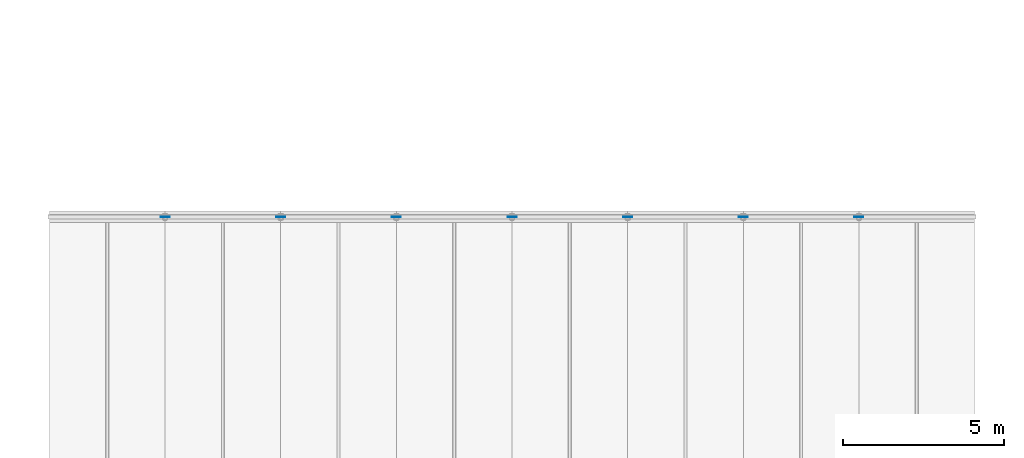
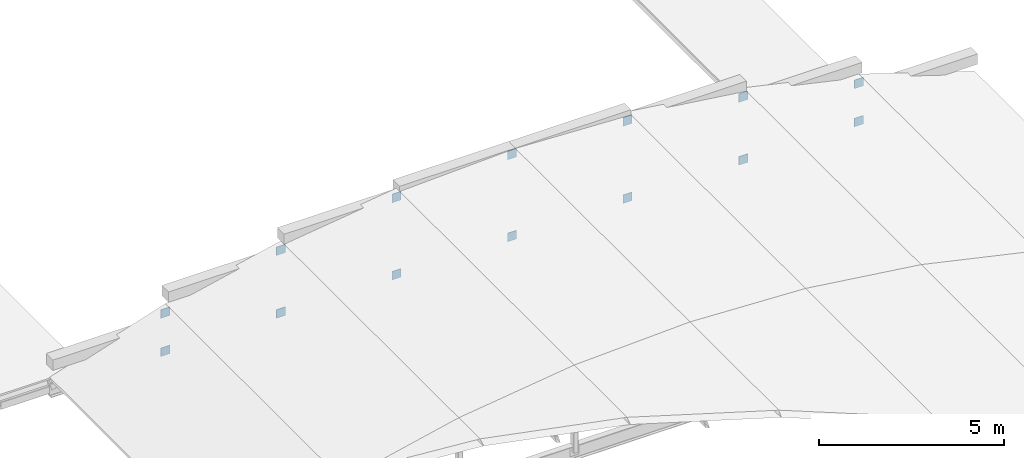
# One storey, part 50 of 70: 14 plates.
"""IFC4 building model written with IfcOpenShell, lengths in metres."""

from ifc_helpers import new_model, si_unit, direction, frame, origin, origin_2d, place, context, subcontext, project, spatial, rectangle, extrude, material, layer, layer_set, type_object, element, save


model = new_model("IFC4")

# Units and contexts
model_context = context("Model", 3, precision=1e-05, world=origin(), true_north=direction((0.0, 1.0)))
body_context = subcontext(model_context, "Body", "Model", "MODEL_VIEW")
ifc_project = project(units=[si_unit("LENGTHUNIT", "METRE"), si_unit("AREAUNIT", "SQUARE_METRE"), si_unit("VOLUMEUNIT", "CUBIC_METRE"), si_unit("PLANEANGLEUNIT", "RADIAN"), si_unit("MASSUNIT", "GRAM", prefix="KILO")], contexts=[model_context])

# Site, building, storey
site_placement = place(None, origin())
site = spatial("IfcSite", under=ifc_project, at=site_placement, CompositionType="ELEMENT")
building_placement = place(site_placement, origin())
building = spatial("IfcBuilding", under=site, at=building_placement, Name="Mavantir Sound Aquarium", CompositionType="ELEMENT")
storey_placement = place(building_placement, frame((0.0, 0.0, 27.0)))
storey = spatial("IfcBuildingStorey", under=building, at=storey_placement, Name="RF", CompositionType="ELEMENT", Elevation=27.0)

# Plates
ifc_material = material(Name="Structural Steel ASTM A572 Gr50", Category="steel")
ifc_layer = layer(ifc_material, 0.01611328125, Name="Structural Steel ASTM A572 Gr50")
ifc_layer_set = layer_set([ifc_layer], Name="Structural Steel ASTM A572 Gr50")
plate_type = type_object("IfcPlateType", Name="PLT-GUSSET-16", PredefinedType="SHEET", material=ifc_layer_set)
for number, where, z_axis, x_axis, name in (
    (1, (70.800048828125, 33.60009765625, -16.8701171875), (0.0, 0.0, 1.0), (1.0, 0.0, 0.0), "Brace end gusset plate GP-01 227"),
    (2, (70.800048828125, 33.60009765625, -15.61181640625), (0.0, 0.0, 1.0), (1.0, 0.0, 0.0), "Brace end gusset plate GP-01 228"),
    (3, (74.39990234375, 33.60009765625, -16.8701171875), (0.0, 0.0, 1.0), (1.0, 0.0, 0.0), "Brace end gusset plate GP-01 229"),
    (4, (74.39990234375, 33.60009765625, -14.80419921875), (0.0, 0.0, 1.0), (1.0, 0.0, 0.0), "Brace end gusset plate GP-01 230"),
    (5, (78.0, 33.60009765625, -16.8701171875), (0.0, 0.0, 1.0), (1.0, 0.0, 0.0), "Brace end gusset plate GP-01 231"),
    (6, (78.0, 33.60009765625, -14.32763671875), (0.0, 0.0, 1.0), (1.0, 0.0, 0.0), "Brace end gusset plate GP-01 232"),
    (7, (81.60009765625, 33.60009765625, -16.8701171875), (0.0, 0.0, 1.0), (1.0, 0.0, 0.0), "Brace end gusset plate GP-01 233"),
    (8, (81.60009765625, 33.60009765625, -14.169921875), (0.0, 0.0, 1.0), (1.0, 0.0, 0.0), "Brace end gusset plate GP-01 234"),
    (9, (85.199951171875, 33.60009765625, -16.8701171875), (0.0, 0.0, 1.0), (1.0, 0.0, 0.0), "Brace end gusset plate GP-01 235"),
    (10, (85.199951171875, 33.60009765625, -14.32763671875), (0.0, 0.0, 1.0), (1.0, 0.0, 0.0), "Brace end gusset plate GP-01 236"),
    (11, (88.800048828125, 33.60009765625, -16.8701171875), (0.0, 0.0, 1.0), (1.0, 0.0, 0.0), "Brace end gusset plate GP-01 237"),
    (12, (88.800048828125, 33.60009765625, -14.80419921875), (0.0, 0.0, 1.0), (1.0, 0.0, 0.0), "Brace end gusset plate GP-01 238"),
    (13, (92.39990234375, 33.60009765625, -16.8701171875), (0.0, 0.0, 1.0), (1.0, 0.0, 0.0), "Brace end gusset plate GP-01 239"),
    (14, (92.39990234375, 33.60009765625, -15.61181640625), (0.0, 0.0, 1.0), (1.0, 0.0, 0.0), "Brace end gusset plate GP-01 240"),
):
    element("IfcPlate", number, at=place(storey_placement, frame(where, z_axis=z_axis, x_axis=x_axis)), inside=storey, type_object=plate_type, Name=name, PredefinedType="SHEET", context=body_context, shape_type="SweptSolid", body=[
        extrude(rectangle(XDim=0.280029296875, YDim=0.01611328125, at=origin_2d()), origin(), (0.0, 0.0, 1.0), 0.280029296875),
    ])

save(model, "model.ifc")
